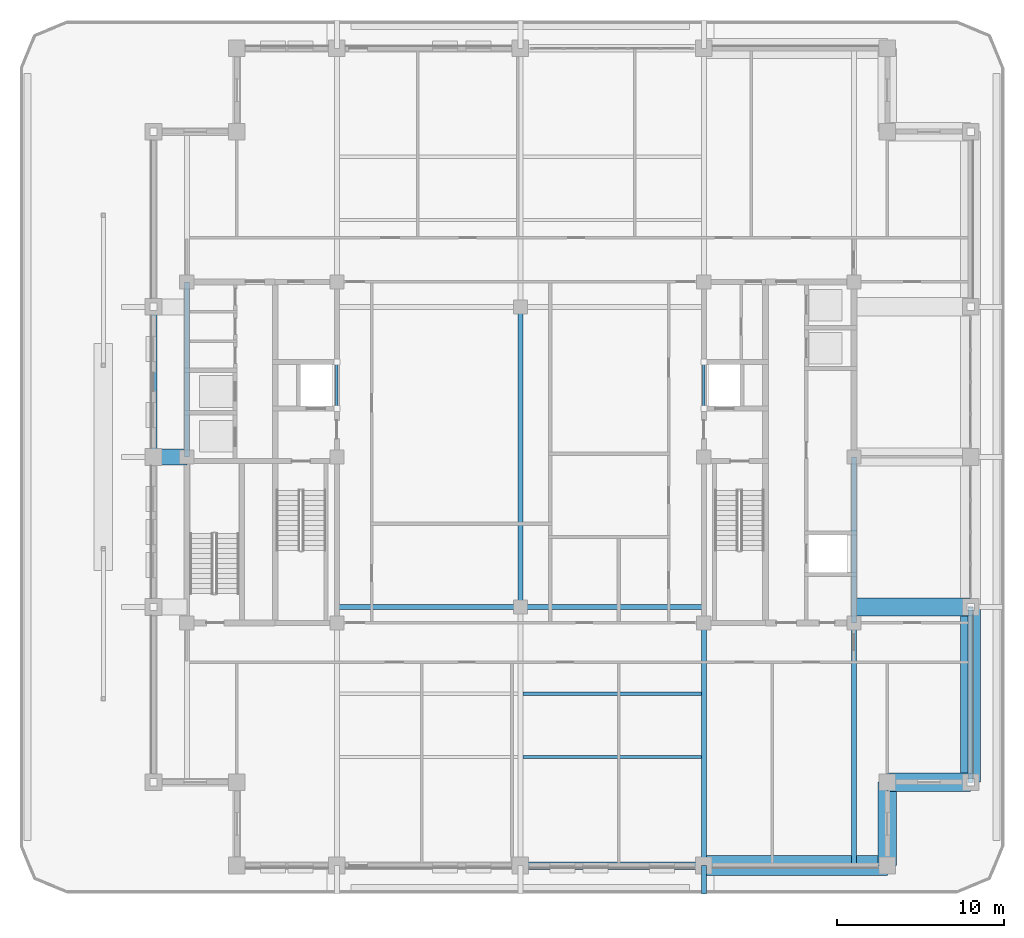
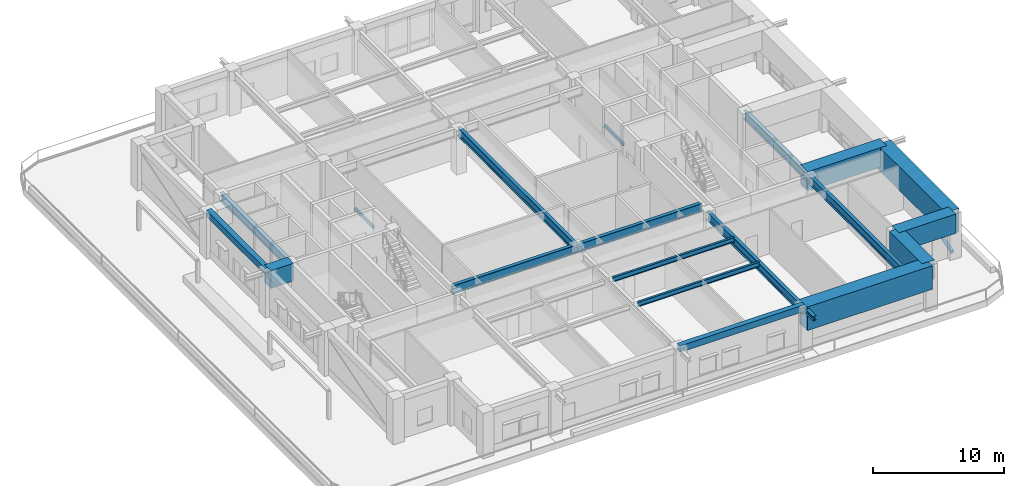
# One storey, part 3 of 20: 20 beams, 1 member.
"""IFC4 building model written with IfcOpenShell, lengths in metres."""

from ifc_helpers import new_model, si_unit, direction, frame, origin, origin_2d, place, context, subcontext, project, spatial, rectangle, hollow_rectangle, hollow_circle, i_section, extrude, material, material_profile, profile_set, type_object, element, save


model = new_model("IFC4")

# Units and contexts
model_context = context("Model", 3, precision=1e-05, world=origin(), true_north=direction((0.0, 1.0)))
body_context = subcontext(model_context, "Body", "Model", "MODEL_VIEW")
ifc_project = project(units=[si_unit("LENGTHUNIT", "METRE"), si_unit("AREAUNIT", "SQUARE_METRE"), si_unit("VOLUMEUNIT", "CUBIC_METRE"), si_unit("PLANEANGLEUNIT", "RADIAN"), si_unit("MASSUNIT", "GRAM", prefix="KILO")], contexts=[model_context])

# Site, building, storey
site_placement = place(None, origin())
site = spatial("IfcSite", under=ifc_project, at=site_placement, CompositionType="ELEMENT")
building_placement = place(site_placement, origin())
building = spatial("IfcBuilding", under=site, at=building_placement, Name="Zulmaris Gate Convention Tower", CompositionType="ELEMENT")
storey_placement = place(building_placement, frame((0.0, 0.0, 158.23974609375)))
storey = spatial("IfcBuildingStorey", under=building, at=storey_placement, Name="L40", CompositionType="ELEMENT", Elevation=158.23974609375)

# Beams
ifc_material_1 = material(Name="Steel S355", Category="steel")
ifc_material_profile_1 = material_profile(ifc_material_1, i_section(OverallWidth=0.300048828125, OverallDepth=0.39990234375, WebThickness=0.013427734375, FlangeThickness=0.02392578125, FilletRadius=0.027099609375, at=origin_2d()), Name="HEB 400")
ifc_profile_set_1 = profile_set([ifc_material_profile_1], Name="Steel S355")
beam_type_1 = type_object("IfcBeamType", Name="BM-HEB400", PredefinedType="BEAM", material=ifc_profile_set_1)
beam_1_placement = place(storey_placement, frame((11.0, -26.199951171875, 3.793212890625), z_axis=(0.0, 1.0, 0.0), x_axis=(-1.0, 0.0, 0.0)))
element("IfcBeam", 1, at=beam_1_placement, inside=storey, type_object=beam_type_1, Name="L40 Beam TBRK-L40-S-+11", PredefinedType="BEAM", context=body_context, shape_type="SweptSolid", body=[
    extrude(i_section(OverallWidth=0.300048828125, OverallDepth=0.39990234375, WebThickness=0.013427734375, FlangeThickness=0.02392578125, FilletRadius=0.027099609375, at=origin_2d()), origin(), (0.0, 0.0, 1.0), 1.699951171875),
])
ifc_material_profile_2 = material_profile(ifc_material_1, i_section(OverallWidth=0.300048828125, OverallDepth=0.800048828125, WebThickness=0.017578125, FlangeThickness=0.032958984375, FilletRadius=0.030029296875, at=origin_2d()), Name="HEB 800")
ifc_profile_set_2 = profile_set([ifc_material_profile_2], Name="Steel S355")
beam_type_2 = type_object("IfcBeamType", Name="BM-HEB800", PredefinedType="BEAM", material=ifc_profile_set_2)
for number, where, z_axis, x_axis, name in (
    (2, (-11.0, -9.0, 3.76806640625), (1.0, 0.0, 0.0), (0.0, 1.0, 0.0), "L40 Beam BM-L40-G01"),
    (3, (0.0, -9.0, 3.76806640625), (1.0, 0.0, 0.0), (0.0, 1.0, 0.0), "L40 Beam BM-L40-G02"),
):
    element("IfcBeam", number, at=place(storey_placement, frame(where, z_axis=z_axis, x_axis=x_axis)), inside=storey, type_object=beam_type_2, Name=name, PredefinedType="BEAM", context=body_context, shape_type="SweptSolid", body=[
        extrude(i_section(OverallWidth=0.300048828125, OverallDepth=0.800048828125, WebThickness=0.017578125, FlangeThickness=0.032958984375, FilletRadius=0.030029296875, at=origin_2d()), origin(), (0.0, 0.0, 1.0), 11.0),
    ])
beam_2_placement = place(storey_placement, frame((0.0, -9.0, 3.76806640625), z_axis=(0.0, 1.0, 0.0), x_axis=(-1.0, 0.0, 0.0)))
element("IfcBeam", 4, at=beam_2_placement, inside=storey, type_object=beam_type_2, Name="L40 Beam BM-L40-G06", PredefinedType="BEAM", context=body_context, shape_type="SweptSolid", body=[
    extrude(i_section(OverallWidth=0.300048828125, OverallDepth=0.800048828125, WebThickness=0.017578125, FlangeThickness=0.032958984375, FilletRadius=0.030029296875, at=origin_2d()), origin(), (0.0, 0.0, 1.0), 18.0),
])
for number, where, z_axis, x_axis, name in (
    (5, (11.0, -24.5, 3.59326171875), (0.0, 1.0, 0.0), (-1.0, 0.0, 0.0), "L40 Beam BM-L40-G10"),
    (6, (20.0, -24.5, 3.76806640625), (0.0, 1.0, 0.0), (-1.0, 0.0, 0.0), "L40 Beam BM-L40-G14"),
):
    element("IfcBeam", number, at=place(storey_placement, frame(where, z_axis=z_axis, x_axis=x_axis)), inside=storey, type_object=beam_type_2, Name=name, PredefinedType="BEAM", context=body_context, shape_type="SweptSolid", body=[
        extrude(i_section(OverallWidth=0.300048828125, OverallDepth=0.800048828125, WebThickness=0.017578125, FlangeThickness=0.032958984375, FilletRadius=0.030029296875, at=origin_2d()), origin(), (0.0, 0.0, 1.0), 14.550048828125),
    ])
beam_3_placement = place(storey_placement, frame((-20.0, 0.0, 3.76806640625), z_axis=(0.0, 1.0, 0.0), x_axis=(-1.0, 0.0, 0.0)))
element("IfcBeam", 7, at=beam_3_placement, inside=storey, type_object=beam_type_2, Name="L40 Beam BM-L40-G27", PredefinedType="BEAM", context=body_context, shape_type="SweptSolid", body=[
    extrude(i_section(OverallWidth=0.300048828125, OverallDepth=0.800048828125, WebThickness=0.017578125, FlangeThickness=0.032958984375, FilletRadius=0.030029296875, at=origin_2d()), origin(), (0.0, 0.0, 1.0), 10.5),
])
beam_4_placement = place(storey_placement, frame((20.0, -9.949951171875, 3.76806640625), z_axis=(0.0, 1.0, 0.0), x_axis=(-1.0, 0.0, 0.0)))
element("IfcBeam", 8, at=beam_4_placement, inside=storey, type_object=beam_type_2, Name="L40 Beam BM-L40-G28", PredefinedType="BEAM", context=body_context, shape_type="SweptSolid", body=[
    extrude(i_section(OverallWidth=0.300048828125, OverallDepth=0.800048828125, WebThickness=0.017578125, FlangeThickness=0.032958984375, FilletRadius=0.030029296875, at=origin_2d()), origin(), (0.0, 0.0, 1.0), 9.949951171875),
])
ifc_material_2 = material(Name="Precast concrete C50/60", Category="concrete")
ifc_material_profile_3 = material_profile(ifc_material_2, rectangle(XDim=0.449951171875, YDim=0.60009765625, at=origin_2d()), Name="RC SPANDREL 450x600")
ifc_profile_set_3 = profile_set([ifc_material_profile_3], Name="Precast concrete C50/60")
beam_type_3 = type_object("IfcBeamType", Name="BM-SP450x600", PredefinedType="SPANDREL", material=ifc_profile_set_3)
beam_5_placement = place(storey_placement, frame((0.0, -24.5, 3.8701171875), z_axis=(1.0, 0.0, 0.0), x_axis=(0.0, 1.0, 0.0)))
element("IfcBeam", 9, at=beam_5_placement, inside=storey, type_object=beam_type_3, Name="L40 Spandrel SP-L40-03", PredefinedType="SPANDREL", context=body_context, shape_type="SweptSolid", body=[
    extrude(rectangle(XDim=0.449951171875, YDim=0.60009765625, at=origin_2d()), origin(), (0.0, 0.0, 1.0), 11.0),
])
beam_6_placement = place(storey_placement, frame((-22.0, 9.0, 3.8701171875), z_axis=(0.0, -1.0, 0.0), x_axis=(1.0, 0.0, 0.0)))
element("IfcBeam", 10, at=beam_6_placement, inside=storey, type_object=beam_type_3, Name="L40 Spandrel SP-L40-20", PredefinedType="SPANDREL", context=body_context, shape_type="SweptSolid", body=[
    extrude(rectangle(XDim=0.449951171875, YDim=0.60009765625, at=origin_2d()), origin(), (0.0, 0.0, 1.0), 9.0),
])
ifc_material_3 = material(Name="Concrete C80/95", Category="concrete")
ifc_material_profile_4 = material_profile(ifc_material_3, rectangle(XDim=0.949951171875, YDim=1.64990234375, at=origin_2d()), Name="RC TRANSFER 950x1650")
ifc_profile_set_4 = profile_set([ifc_material_profile_4], Name="Concrete C80/95")
beam_type_4 = type_object("IfcBeamType", Name="BM-XFER1650", PredefinedType="BEAM", material=ifc_profile_set_4)
beam_7_placement = place(storey_placement, frame((-22.0, 0.0, 3.34521484375), z_axis=(1.0, 0.0, 0.0), x_axis=(0.0, 1.0, 0.0)))
element("IfcBeam", 11, at=beam_7_placement, inside=storey, type_object=beam_type_4, Name="L40 Beam BM-L40-G17", PredefinedType="BEAM", context=body_context, shape_type="SweptSolid", body=[
    extrude(rectangle(XDim=0.949951171875, YDim=1.64990234375, at=origin_2d()), origin(), (0.0, 0.0, 1.0), 2.0),
])
ifc_material_profile_5 = material_profile(ifc_material_3, rectangle(XDim=1.10009765625, YDim=1.800048828125, at=origin_2d()), Name="RC TRANSFER 1100x1800")
ifc_profile_set_5 = profile_set([ifc_material_profile_5], Name="Concrete C80/95")
beam_type_5 = type_object("IfcBeamType", Name="BM-XFER1800", PredefinedType="BEAM", material=ifc_profile_set_5)
for number, where, z_axis, x_axis, name in (
    (12, (22.0, -24.5, 3.270263671875), (0.0, 1.0, 0.0), (-1.0, 0.0, 0.0), "L40 Beam SP-L40-05"),
    (13, (22.0, -19.5, 3.270263671875), (1.0, 0.0, 0.0), (0.0, 1.0, 0.0), "L40 Beam SP-L40-06"),
):
    element("IfcBeam", number, at=place(storey_placement, frame(where, z_axis=z_axis, x_axis=x_axis)), inside=storey, type_object=beam_type_5, Name=name, PredefinedType="BEAM", context=body_context, shape_type="SweptSolid", body=[
        extrude(rectangle(XDim=1.10009765625, YDim=1.800048828125, at=origin_2d()), origin(), (0.0, 0.0, 1.0), 5.0),
    ])
beam_8_placement = place(storey_placement, frame((20.0, -9.0, 3.270263671875), z_axis=(1.0, 0.0, 0.0), x_axis=(0.0, 1.0, 0.0)))
element("IfcBeam", 14, at=beam_8_placement, inside=storey, type_object=beam_type_5, Name="L40 Beam BM-L40-G19", PredefinedType="BEAM", context=body_context, shape_type="SweptSolid", body=[
    extrude(rectangle(XDim=1.10009765625, YDim=1.800048828125, at=origin_2d()), origin(), (0.0, 0.0, 1.0), 7.0),
])
ifc_material_profile_6 = material_profile(ifc_material_3, rectangle(XDim=1.199951171875, YDim=2.199951171875, at=origin_2d()), Name="RC TRANSFER 1200x2200")
ifc_profile_set_6 = profile_set([ifc_material_profile_6], Name="Concrete C80/95")
beam_type_6 = type_object("IfcBeamType", Name="BM-XFER2200", PredefinedType="BEAM", material=ifc_profile_set_6)
beam_9_placement = place(storey_placement, frame((11.0, -24.5, 3.070068359375), z_axis=(1.0, 0.0, 0.0), x_axis=(0.0, 1.0, 0.0)))
element("IfcBeam", 15, at=beam_9_placement, inside=storey, type_object=beam_type_6, Name="L40 Beam SP-L40-04", PredefinedType="BEAM", context=body_context, shape_type="SweptSolid", body=[
    extrude(rectangle(XDim=1.199951171875, YDim=2.199951171875, at=origin_2d()), origin(), (0.0, 0.0, 1.0), 11.0),
])
beam_10_placement = place(storey_placement, frame((27.0, -19.5, 3.070068359375), z_axis=(0.0, 1.0, 0.0), x_axis=(-1.0, 0.0, 0.0)))
element("IfcBeam", 16, at=beam_10_placement, inside=storey, type_object=beam_type_6, Name="L40 Beam SP-L40-07", PredefinedType="BEAM", context=body_context, shape_type="SweptSolid", body=[
    extrude(rectangle(XDim=1.199951171875, YDim=2.199951171875, at=origin_2d()), origin(), (0.0, 0.0, 1.0), 10.5),
])

# Member
ifc_material_profile_7 = material_profile(ifc_material_1, hollow_circle(Radius=0.161865234375, WallThickness=0.01611328125, at=origin_2d()), Name="CHS 323.9x16")
ifc_profile_set_7 = profile_set([ifc_material_profile_7], Name="Steel S355")
member_type = type_object("IfcMemberType", Name="BR-CHS324", PredefinedType="BRACE", material=ifc_profile_set_7)
member_placement = place(storey_placement, frame((27.0, -19.5, 0.300048828125), z_axis=(0.0, 0.955285890691, 0.295683728071), x_axis=(-1.0, 0.0, 0.0)))
element("IfcMember", 17, at=member_placement, inside=storey, type_object=member_type, Name="L40 Perimeter Tube Diagonal SE-E", PredefinedType="BRACE", context=body_context, shape_type="SweptSolid", body=[
    extrude(hollow_circle(Radius=0.161865234375, WallThickness=0.01611328125, at=origin_2d()), origin(), (0.0, 0.0, 1.0), 10.991455078125),
])

# Beams
ifc_material_profile_8 = material_profile(ifc_material_1, i_section(OverallWidth=0.18994140625, OverallDepth=0.449951171875, WebThickness=0.009521484375, FlangeThickness=0.0146484375, FilletRadius=0.02099609375, at=origin_2d()), Name="IPE 450")
ifc_profile_set_8 = profile_set([ifc_material_profile_8], Name="Steel S355")
beam_type_7 = type_object("IfcBeamType", Name="JT-IPE450", PredefinedType="JOIST", material=ifc_profile_set_8)
for number, where, z_axis, x_axis, name in (
    (18, (0.14990234375, -18.0, 3.943115234375), (1.0, 0.0, 0.0), (0.0, 1.0, 0.0), "L40 Joist JT-L40-CE--18.0"),
    (19, (0.14990234375, -14.199951171875, 3.943115234375), (1.0, 0.0, 0.0), (0.0, 1.0, 0.0), "L40 Joist JT-L40-CE--14.2"),
):
    element("IfcBeam", number, at=place(storey_placement, frame(where, z_axis=z_axis, x_axis=x_axis)), inside=storey, type_object=beam_type_7, Name=name, PredefinedType="JOIST", context=body_context, shape_type="SweptSolid", body=[
        extrude(i_section(OverallWidth=0.18994140625, OverallDepth=0.449951171875, WebThickness=0.009521484375, FlangeThickness=0.0146484375, FilletRadius=0.02099609375, at=origin_2d()), origin(), (0.0, 0.0, 1.0), 10.7001953125),
    ])
ifc_material_profile_9 = material_profile(ifc_material_1, hollow_rectangle(XDim=0.14990234375, YDim=0.300048828125, WallThickness=0.010009765625, at=origin_2d()), Name="RHS 300x150x10")
ifc_profile_set_9 = profile_set([ifc_material_profile_9], Name="Steel S355")
beam_type_8 = type_object("IfcBeamType", Name="LN-RHS300", PredefinedType="LINTEL", material=ifc_profile_set_9)
for number, where, z_axis, x_axis, name in (
    (20, (-11.0, 2.89990234375, 2.349853515625), (0.0, 1.0, 0.0), (-1.0, 0.0, 0.0), "L40 Core Opening Steel Lintel 1"),
    (21, (11.0, 2.89990234375, 2.349853515625), (0.0, 1.0, 0.0), (-1.0, 0.0, 0.0), "L40 Core Opening Steel Lintel 2"),
):
    element("IfcBeam", number, at=place(storey_placement, frame(where, z_axis=z_axis, x_axis=x_axis)), inside=storey, type_object=beam_type_8, Name=name, PredefinedType="LINTEL", context=body_context, shape_type="SweptSolid", body=[
        extrude(hollow_rectangle(XDim=0.14990234375, YDim=0.300048828125, WallThickness=0.010009765625, at=origin_2d()), origin(), (0.0, 0.0, 1.0), 2.800048828125),
    ])

save(model, "model.ifc")
